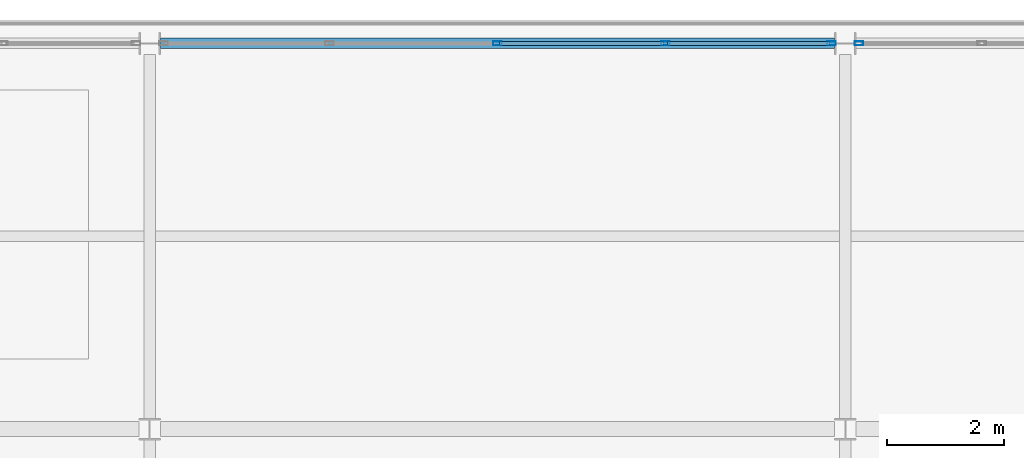
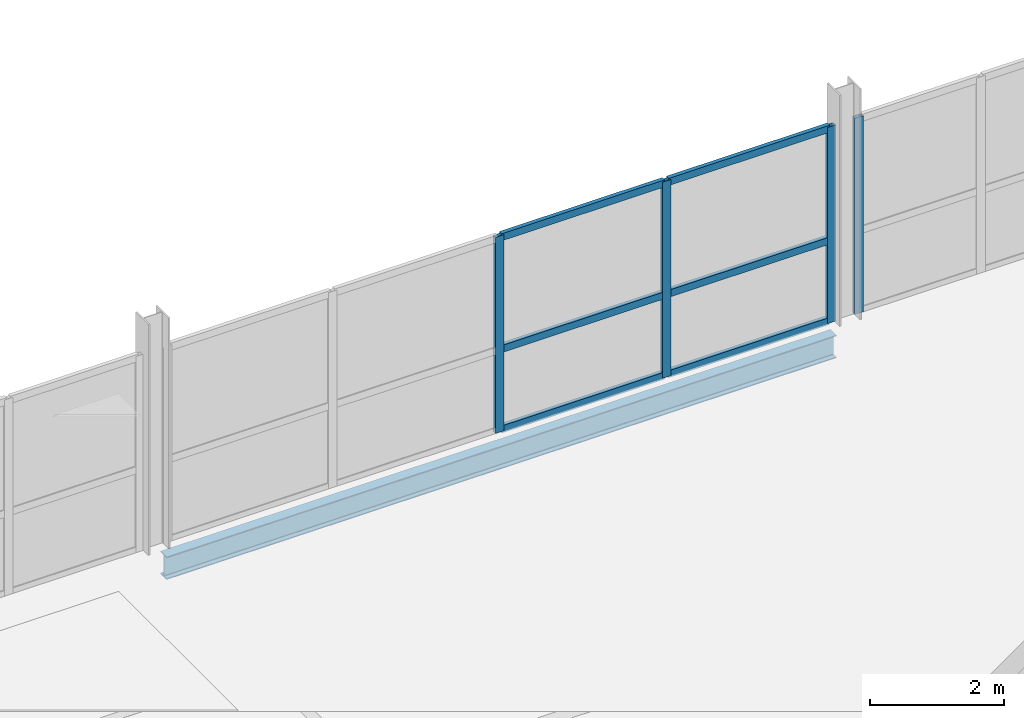
# One storey, part 12 of 20: 10 members, 1 beam, 2 elements without a shape of their own.
"""IFC4 building model written with IfcOpenShell, lengths in metres."""

from ifc_helpers import new_model, si_unit, direction, frame, origin, origin_2d, place, context, subcontext, project, spatial, hollow_rectangle, i_section, extrude, material, layer, layer_set, material_profile, profile_set, type_object, element, aggregate, save


model = new_model("IFC4")

# Units and contexts
model_context = context("Model", 3, precision=1e-05, world=origin(), true_north=direction((0.0, 1.0)))
body_context = subcontext(model_context, "Body", "Model", "MODEL_VIEW")
ifc_project = project(units=[si_unit("LENGTHUNIT", "METRE"), si_unit("AREAUNIT", "SQUARE_METRE"), si_unit("VOLUMEUNIT", "CUBIC_METRE"), si_unit("PLANEANGLEUNIT", "RADIAN"), si_unit("MASSUNIT", "GRAM", prefix="KILO")], contexts=[model_context])

# Site, building, storey
site_placement = place(None, origin())
site = spatial("IfcSite", under=ifc_project, at=site_placement, CompositionType="ELEMENT")
building_placement = place(site_placement, origin())
building = spatial("IfcBuilding", under=site, at=building_placement, Name="Quillay Park Conservatory", CompositionType="ELEMENT")
storey_placement = place(building_placement, frame((0.0, 0.0, 26.699951171875)))
storey = spatial("IfcBuildingStorey", under=building, at=storey_placement, Name="L06", CompositionType="ELEMENT", Elevation=26.699951171875)

# Curtain wall, members
ifc_material_1 = material(Name="Thermally Broken Anodised Aluminium 6063-T6", Category="aluminium")
ifc_layer = layer(ifc_material_1, 0.199951171875)
ifc_layer_set = layer_set([ifc_layer], Name="UNITISED CURTAIN WALL HERBARIUM (Thermally Broken Anodised Aluminium 6063-T6)")
curtain_wall_type = type_object("IfcCurtainWallType", Name="UNITISED CURTAIN WALL HERBARIUM", PredefinedType="USERDEFINED", material=ifc_layer_set)
curtain_wall_1_placement = place(storey_placement, origin())
curtain_wall_1 = element("IfcCurtainWall", 1, at=curtain_wall_1_placement, inside=storey, type_object=curtain_wall_type, Name="L06 Unitised Curtain Wall 066", ObjectType="UNITISED CURTAIN WALL", PredefinedType="USERDEFINED")
ifc_material_2 = material(Name="Thermally Broken Anodised Aluminium 6063-T6", Category="aluminium")
ifc_material_profile_1 = material_profile(ifc_material_2, hollow_rectangle(XDim=0.070068359375, YDim=0.14990234375, WallThickness=0.00341796875, at=origin_2d()), Name="AL70x150x3.5")
ifc_profile_set_1 = profile_set([ifc_material_profile_1], Name="Thermally Broken Anodised Aluminium 6063-T6")
member_type_1 = type_object("IfcMemberType", Name="CURTAIN WALL MULLION 70 X150", PredefinedType="MULLION", material=ifc_profile_set_1)
member_1_placement = place(storey_placement, frame((13.800048828125, 113.39990234375, 0.0), z_axis=(0.0, 0.0, 1.0), x_axis=(0.0, 1.0, 0.0)))
member_1 = element("IfcMember", 2, at=member_1_placement, type_object=member_type_1, Name="CW-T2 mullion 3", PredefinedType="MULLION", context=body_context, shape_type="SweptSolid", body=[
    extrude(hollow_rectangle(XDim=0.070068359375, YDim=0.14990234375, WallThickness=0.00341796875, at=origin_2d()), origin(), (0.0, 0.0, 1.0), 3.569091796875),
])
member_2_placement = place(storey_placement, frame((16.675048828125, 113.39990234375, 0.0), z_axis=(0.0, 0.0, 1.0), x_axis=(0.0, 1.0, 0.0)))
member_2 = element("IfcMember", 3, at=member_2_placement, type_object=member_type_1, Name="CW-T2 mullion 4", PredefinedType="MULLION", context=body_context, shape_type="SweptSolid", body=[
    extrude(hollow_rectangle(XDim=0.070068359375, YDim=0.14990234375, WallThickness=0.00341796875, at=origin_2d()), origin(), (0.0, 0.0, 1.0), 3.569091796875),
])
member_3_placement = place(storey_placement, frame((19.514892578125, 113.39990234375, 0.0), z_axis=(0.0, 0.0, 1.0), x_axis=(0.0, 1.0, 0.0)))
member_3 = element("IfcMember", 4, at=member_3_placement, type_object=member_type_1, Name="CW-T2 mullion 5", PredefinedType="MULLION", context=body_context, shape_type="SweptSolid", body=[
    extrude(hollow_rectangle(XDim=0.070068359375, YDim=0.14990234375, WallThickness=0.00341796875, at=origin_2d()), origin(), (0.0, 0.0, 1.0), 3.569091796875),
])

# Curtain wall, member
curtain_wall_2_placement = place(storey_placement, origin())
curtain_wall_2 = element("IfcCurtainWall", 5, at=curtain_wall_2_placement, inside=storey, type_object=curtain_wall_type, Name="L06 Unitised Curtain Wall 067", ObjectType="UNITISED CURTAIN WALL", PredefinedType="USERDEFINED")
member_4_placement = place(storey_placement, frame((19.985107421875, 113.39990234375, 0.0), z_axis=(0.0, 0.0, 1.0), x_axis=(0.0, 1.0, 0.0)))
member_4 = element("IfcMember", 6, at=member_4_placement, type_object=member_type_1, Name="CW-T2 mullion 1", PredefinedType="MULLION", context=body_context, shape_type="SweptSolid", body=[
    extrude(hollow_rectangle(XDim=0.070068359375, YDim=0.14990234375, WallThickness=0.00341796875, at=origin_2d()), origin(), (0.0, 0.0, 1.0), 3.569091796875),
])
aggregate(curtain_wall_2, [member_4])

# Member
ifc_material_3 = material(Name="Thermally Broken Anodised Aluminium 6063-T6", Category="aluminium")
ifc_material_profile_2 = material_profile(ifc_material_3, hollow_rectangle(XDim=0.070068359375, YDim=0.1298828125, WallThickness=0.003173828125, at=origin_2d()), Name="AL70x130x3.2")
ifc_profile_set_2 = profile_set([ifc_material_profile_2], Name="Thermally Broken Anodised Aluminium 6063-T6")
member_type_2 = type_object("IfcMemberType", Name="CURTAIN WALL TRANSOM 70 X130", PredefinedType="USERDEFINED", material=ifc_profile_set_2)
member_5_placement = place(storey_placement, frame((13.8349609375, 113.39990234375, 0.03515625), z_axis=(1.0, 0.0, 0.0), x_axis=(0.0, 1.0, 0.0)))
member_5 = element("IfcMember", 7, at=member_5_placement, type_object=member_type_2, Name="CW-T2 transom 3.1", ObjectType="TRANSOM", PredefinedType="USERDEFINED", context=body_context, shape_type="SweptSolid", body=[
    extrude(hollow_rectangle(XDim=0.070068359375, YDim=0.1298828125, WallThickness=0.003173828125, at=origin_2d()), origin(), (0.0, 0.0, 1.0), 2.804931640625),
])

member_6_placement = place(storey_placement, frame((13.8349609375, 113.39990234375, 1.4990234375), z_axis=(1.0, 0.0, 0.0), x_axis=(0.0, 1.0, 0.0)))
member_6 = element("IfcMember", 8, at=member_6_placement, type_object=member_type_2, Name="CW-T2 transom 3.2", ObjectType="TRANSOM", PredefinedType="USERDEFINED", context=body_context, shape_type="SweptSolid", body=[
    extrude(hollow_rectangle(XDim=0.070068359375, YDim=0.1298828125, WallThickness=0.003173828125, at=origin_2d()), origin(), (0.0, 0.0, 1.0), 2.804931640625),
])

member_7_placement = place(storey_placement, frame((13.8349609375, 113.39990234375, 3.533935546875), z_axis=(1.0, 0.0, 0.0), x_axis=(0.0, 1.0, 0.0)))
member_7 = element("IfcMember", 9, at=member_7_placement, type_object=member_type_2, Name="CW-T2 transom 3.3", ObjectType="TRANSOM", PredefinedType="USERDEFINED", context=body_context, shape_type="SweptSolid", body=[
    extrude(hollow_rectangle(XDim=0.070068359375, YDim=0.1298828125, WallThickness=0.003173828125, at=origin_2d()), origin(), (0.0, 0.0, 1.0), 2.804931640625),
])

member_8_placement = place(storey_placement, frame((16.7099609375, 113.39990234375, 0.03515625), z_axis=(1.0, 0.0, 0.0), x_axis=(0.0, 1.0, 0.0)))
member_8 = element("IfcMember", 10, at=member_8_placement, type_object=member_type_2, Name="CW-T2 transom 4.1", ObjectType="TRANSOM", PredefinedType="USERDEFINED", context=body_context, shape_type="SweptSolid", body=[
    extrude(hollow_rectangle(XDim=0.070068359375, YDim=0.1298828125, WallThickness=0.003173828125, at=origin_2d()), origin(), (0.0, 0.0, 1.0), 2.77001953125),
])

member_9_placement = place(storey_placement, frame((16.7099609375, 113.39990234375, 1.4990234375), z_axis=(1.0, 0.0, 0.0), x_axis=(0.0, 1.0, 0.0)))
member_9 = element("IfcMember", 11, at=member_9_placement, type_object=member_type_2, Name="CW-T2 transom 4.2", ObjectType="TRANSOM", PredefinedType="USERDEFINED", context=body_context, shape_type="SweptSolid", body=[
    extrude(hollow_rectangle(XDim=0.070068359375, YDim=0.1298828125, WallThickness=0.003173828125, at=origin_2d()), origin(), (0.0, 0.0, 1.0), 2.77001953125),
])

member_10_placement = place(storey_placement, frame((16.7099609375, 113.39990234375, 3.533935546875), z_axis=(1.0, 0.0, 0.0), x_axis=(0.0, 1.0, 0.0)))
member_10 = element("IfcMember", 12, at=member_10_placement, type_object=member_type_2, Name="CW-T2 transom 4.3", ObjectType="TRANSOM", PredefinedType="USERDEFINED", context=body_context, shape_type="SweptSolid", body=[
    extrude(hollow_rectangle(XDim=0.070068359375, YDim=0.1298828125, WallThickness=0.003173828125, at=origin_2d()), origin(), (0.0, 0.0, 1.0), 2.77001953125),
])

aggregate(curtain_wall_1, [member_1, member_2, member_3, member_5, member_6, member_7, member_8, member_9, member_10])

# Beam
ifc_material_4 = material(Name="Steel ASTM A992 Grade 50", Category="steel")
ifc_material_profile_3 = material_profile(ifc_material_4, i_section(OverallWidth=0.179931640625, OverallDepth=0.4130859375, WebThickness=0.009765625, FlangeThickness=0.01611328125, FilletRadius=0.011962890625, at=origin_2d()), Name="W410x74")
ifc_profile_set_3 = profile_set([ifc_material_profile_3], Name="Steel ASTM A992 Grade 50")
beam_type = type_object("IfcBeamType", Name="PERIMETER SPANDREL BEAM W410 X74", PredefinedType="SPANDREL", material=ifc_profile_set_3)
beam_placement = place(storey_placement, frame((8.035888671875, 113.39990234375, -0.426513671875), z_axis=(1.0, 0.0, 0.0), x_axis=(0.0, 1.0, 0.0)))
element("IfcBeam", 13, at=beam_placement, inside=storey, type_object=beam_type, Name="L06 beam BM-SP-0468", PredefinedType="SPANDREL", context=body_context, shape_type="SweptSolid", body=[
    extrude(i_section(OverallWidth=0.179931640625, OverallDepth=0.4130859375, WebThickness=0.009765625, FlangeThickness=0.01611328125, FilletRadius=0.011962890625, at=origin_2d()), origin(), (0.0, 0.0, 1.0), 11.528076171875),
])

save(model, "model.ifc")
